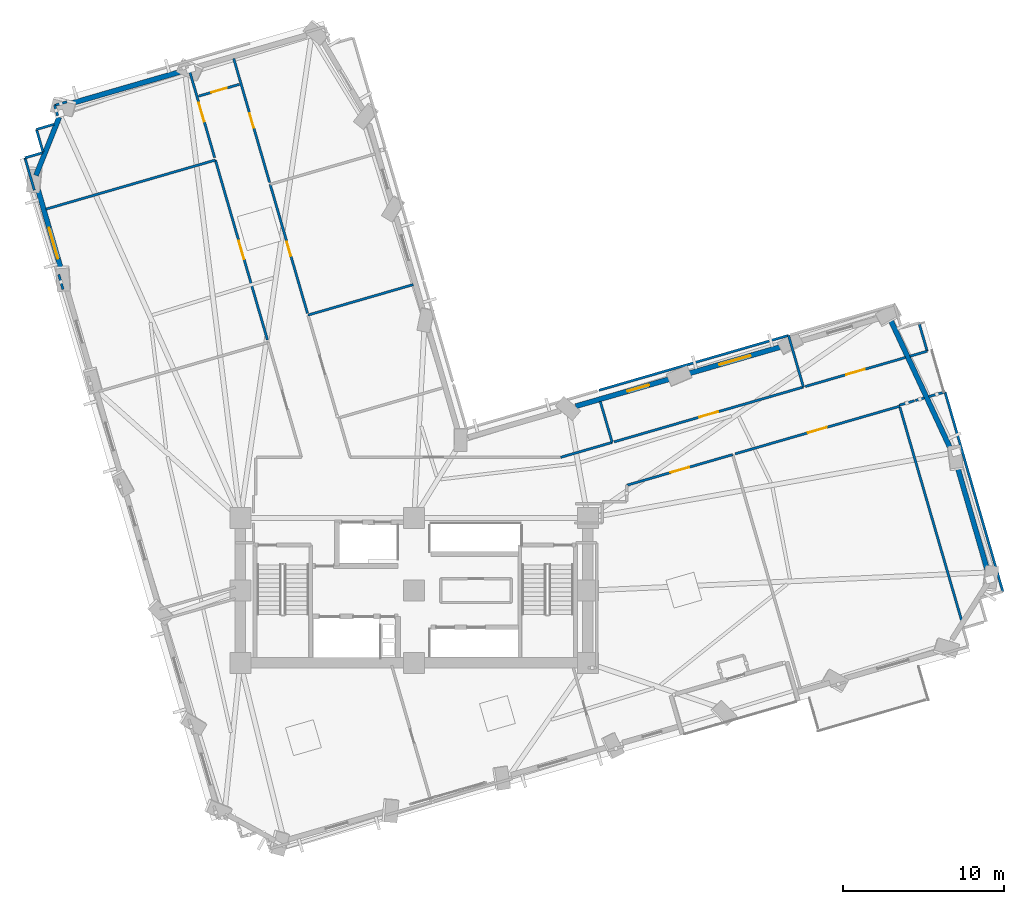
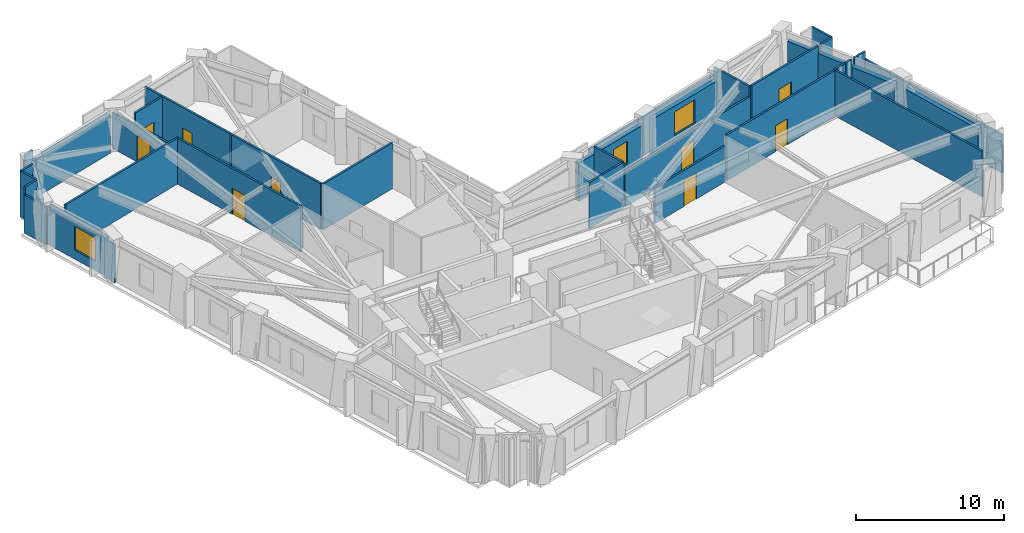
# One storey, part 10 of 15: 36 walls, 9 doors, 3 windows, 12 openings.
"""IFC4 building model written with IfcOpenShell, lengths in metres."""

from ifc_helpers import new_model, si_unit, direction, frame, frame_2d, origin, place, context, subcontext, project, spatial, rectangle, extrude, material, layer, layer_set, type_object, element, fill, save


model = new_model("IFC4")

# Units and contexts
model_context = context("Model", 3, precision=1e-05, world=origin(), true_north=direction((0.0, 1.0)))
body_context = subcontext(model_context, "Body", "Model", "MODEL_VIEW")
ifc_project = project(units=[si_unit("LENGTHUNIT", "METRE"), si_unit("AREAUNIT", "SQUARE_METRE"), si_unit("VOLUMEUNIT", "CUBIC_METRE"), si_unit("PLANEANGLEUNIT", "RADIAN"), si_unit("MASSUNIT", "GRAM", prefix="KILO")], contexts=[model_context])

# Site, building, storey
site_placement = place(None, origin())
site = spatial("IfcSite", under=ifc_project, at=site_placement, CompositionType="ELEMENT")
building_placement = place(site_placement, origin())
building = spatial("IfcBuilding", under=site, at=building_placement, Name="Gaonmaruhae Medical Tower", CompositionType="ELEMENT")
storey_placement = place(building_placement, frame((0.0, 0.0, 92.39990234375)))
storey = spatial("IfcBuildingStorey", under=building, at=storey_placement, Name="L21", CompositionType="ELEMENT", Elevation=92.39990234375)

# Walls
ifc_material_1 = material(Name="Precast concrete C45/55", Category="concrete")
ifc_layer_1 = layer(ifc_material_1, 0.320068359375)
ifc_layer_set_1 = layer_set([ifc_layer_1], Name="Precast concrete C45/55")
wall_type_1 = type_object("IfcWallType", Name="EW-320 Lower Precast Masonry-Frame Facade Wall", PredefinedType="SOLIDWALL", material=ifc_layer_set_1)
wall_1_placement = place(storey_placement, frame((58.512939453125, 20.198486328125, 0.0), z_axis=(0.0, 0.0, 1.0), x_axis=(0.278156008639, -0.960535910239, 0.0)))
element("IfcWall", 1, at=wall_1_placement, inside=storey, type_object=wall_type_1, Name="L21 Precast Masonry-Frame Wall E01-E02", PredefinedType="SOLIDWALL", context=body_context, shape_type="SweptSolid", body=[
    extrude(rectangle(XDim=6.840087890625, YDim=0.320068359375, at=frame_2d((3.419921875, 0.0))), origin(), (0.0, 0.0, 1.0), 3.1650390625),
])
wall_2_placement = place(storey_placement, frame((54.427001953125, 29.09326171875, 0.0), z_axis=(0.0, 0.0, 1.0), x_axis=(0.421696417701, -0.906737079477, 0.0)))
element("IfcWall", 2, at=wall_2_placement, inside=storey, type_object=wall_type_1, Name="L21 Precast Masonry-Frame Wall E02-E03", PredefinedType="SOLIDWALL", context=body_context, shape_type="SweptSolid", body=[
    extrude(rectangle(XDim=8.837646484375, YDim=0.320068359375, at=frame_2d((4.4189453125, 0.0))), origin(), (0.0, 0.0, 1.0), 3.1650390625),
])

# Wall, opening, window
wall_3_placement = place(storey_placement, frame((41.758544921875, 25.757080078125, 0.0), z_axis=(0.0, 0.0, 1.0), x_axis=(0.960538354847, 0.278147566711, 0.0)))
wall_3 = element("IfcWall", 3, at=wall_3_placement, inside=storey, type_object=wall_type_1, Name="L21 Precast Masonry-Frame Wall EN01-EN02", PredefinedType="SOLIDWALL", context=body_context, shape_type="SweptSolid", body=[
    extrude(rectangle(XDim=6.2265625, YDim=0.320068359375, at=frame_2d((3.11328125, 0.0))), origin(), (0.0, 0.0, 1.0), 3.1650390625),
])
opening_1_placement = place(wall_3_placement, frame((2.110595703125, 0.0, 0.75)))
opening_1 = element("IfcOpeningElement", 4, at=opening_1_placement, cuts=wall_3, Name="Opening WN-02", PredefinedType="OPENING", context=body_context, shape_type="SweptSolid", body=[
    extrude(rectangle(XDim=2.0, YDim=1.949951171875, at=frame_2d((1.0, 0.97509765625))), frame((0.0, 0.169921875, 0.0), z_axis=(0.0, -1.0, 0.0), x_axis=(1.0, 0.0, 0.0)), (0.0, 0.0, 1.0), 0.340087890625),
])
ifc_material_2 = material(Name="Anodised aluminium and Low-E double glazing", Category="aluminium")
window_type_1 = type_object("IfcWindowType", Name="WN-02 Double-Bed Ward Punched Window 2000x1950", PartitioningType="SINGLE_PANEL", PredefinedType="WINDOW", material=ifc_material_2)
window_1_placement = place(opening_1_placement, origin())
window_1 = element("IfcWindow", 5, at=window_1_placement, inside=storey, type_object=window_type_1, Name="L21 Modular Facade Window EN01", OverallHeight=1.949951171875, OverallWidth=2.0, PartitioningType="SINGLE_PANEL", PredefinedType="WINDOW", context=body_context, shape_type="SweptSolid", body=[
    extrude(rectangle(XDim=2.0, YDim=1.949951171875, at=frame_2d((1.0, 0.97509765625))), frame((0.0, 0.030029296875, 0.0), z_axis=(0.0, -1.0, 0.0), x_axis=(1.0, 0.0, 0.0)), (0.0, 0.0, 1.0), 0.06005859375),
])
fill(opening_1, window_1)

wall_4_placement = place(storey_placement, frame((34.84716796875, 23.755615234375, 0.0), z_axis=(0.0, 0.0, 1.0), x_axis=(0.96052833926, 0.278182151618, 0.0)))
wall_4 = element("IfcWall", 6, at=wall_4_placement, inside=storey, type_object=wall_type_1, Name="L21 Precast Masonry-Frame Wall EN02-EN03", PredefinedType="SOLIDWALL", context=body_context, shape_type="SweptSolid", body=[
    extrude(rectangle(XDim=6.2109375, YDim=0.320068359375, at=frame_2d((3.10546875, 0.0))), origin(), (0.0, 0.0, 1.0), 3.1650390625),
])
opening_2_placement = place(wall_4_placement, frame((3.34375, 0.0, 0.75)))
opening_2 = element("IfcOpeningElement", 7, at=opening_2_placement, cuts=wall_4, Name="Opening WN-03", PredefinedType="OPENING", context=body_context, shape_type="SweptSolid", body=[
    extrude(rectangle(XDim=1.39990234375, YDim=1.85009765625, at=frame_2d((0.699951171875, 0.925048828125))), frame((0.0, 0.169921875, 0.0), z_axis=(0.0, -1.0, 0.0), x_axis=(1.0, 0.0, 0.0)), (0.0, 0.0, 1.0), 0.340087890625),
])
window_type_2 = type_object("IfcWindowType", Name="WN-03 Isolation Ward Punched Window 1400x1850", PartitioningType="SINGLE_PANEL", PredefinedType="WINDOW", material=ifc_material_2)
window_2_placement = place(opening_2_placement, origin())
window_2 = element("IfcWindow", 8, at=window_2_placement, inside=storey, type_object=window_type_2, Name="L21 Modular Facade Window EN02", OverallHeight=1.85009765625, OverallWidth=1.39990234375, PartitioningType="SINGLE_PANEL", PredefinedType="WINDOW", context=body_context, shape_type="SweptSolid", body=[
    extrude(rectangle(XDim=1.39990234375, YDim=1.85009765625, at=frame_2d((0.699951171875, 0.925048828125))), frame((0.0, 0.030029296875, 0.0), z_axis=(0.0, -1.0, 0.0), x_axis=(1.0, 0.0, 0.0)), (0.0, 0.0, 1.0), 0.06005859375),
])
fill(opening_2, window_2)

# Walls
wall_5_placement = place(storey_placement, frame((3.269287109375, 42.512451171875, 0.0), z_axis=(0.0, 0.0, 1.0), x_axis=(0.960535698859, 0.278156738581, 0.0)))
element("IfcWall", 9, at=wall_5_placement, inside=storey, type_object=wall_type_1, Name="L21 Precast Masonry-Frame Wall N02-N03", PredefinedType="SOLIDWALL", context=body_context, shape_type="SweptSolid", body=[
    extrude(rectangle(XDim=7.27001953125, YDim=0.320068359375, at=frame_2d((3.635009765625, 0.0))), origin(), (0.0, 0.0, 1.0), 3.1650390625),
])
wall_6_placement = place(storey_placement, frame((1.3017578125, 38.104248046875, 0.0), z_axis=(0.0, 0.0, 1.0), x_axis=(0.371011883007, 0.928628118607, 0.0)))
element("IfcWall", 10, at=wall_6_placement, inside=storey, type_object=wall_type_1, Name="L21 Precast Masonry-Frame Wall N03-W01", PredefinedType="SOLIDWALL", context=body_context, shape_type="SweptSolid", body=[
    extrude(rectangle(XDim=3.8896484375, YDim=0.320068359375, at=frame_2d((1.94482421875, 0.0))), origin(), (0.0, 0.0, 1.0), 3.1650390625),
])

# Wall, opening, window
wall_7_placement = place(storey_placement, frame((2.935302734375, 32.0068359375, 0.0), z_axis=(0.0, 0.0, 1.0), x_axis=(-0.278171081154, 0.960531545349, 0.0)))
wall_7 = element("IfcWall", 11, at=wall_7_placement, inside=storey, type_object=wall_type_1, Name="L21 Precast Masonry-Frame Wall W01-W02", PredefinedType="SOLIDWALL", context=body_context, shape_type="SweptSolid", body=[
    extrude(rectangle(XDim=5.45556640625, YDim=0.320068359375, at=frame_2d((2.727783203125, 0.0))), origin(), (0.0, 0.0, 1.0), 3.1650390625),
])
opening_3_placement = place(wall_7_placement, frame((0.96044921875, 0.0, 0.75)))
opening_3 = element("IfcOpeningElement", 12, at=opening_3_placement, cuts=wall_7, Name="Opening WN-02", PredefinedType="OPENING", context=body_context, shape_type="SweptSolid", body=[
    extrude(rectangle(XDim=2.0, YDim=1.949951171875, at=frame_2d((1.0, 0.97509765625))), frame((0.0, 0.169921875, 0.0), z_axis=(0.0, -1.0, 0.0), x_axis=(1.0, 0.0, 0.0)), (0.0, 0.0, 1.0), 0.340087890625),
])
window_3_placement = place(opening_3_placement, origin())
window_3 = element("IfcWindow", 13, at=window_3_placement, inside=storey, type_object=window_type_1, Name="L21 Modular Facade Window W01", OverallHeight=1.949951171875, OverallWidth=2.0, PartitioningType="SINGLE_PANEL", PredefinedType="WINDOW", context=body_context, shape_type="SweptSolid", body=[
    extrude(rectangle(XDim=2.0, YDim=1.949951171875, at=frame_2d((1.0, 0.97509765625))), frame((0.0, 0.030029296875, 0.0), z_axis=(0.0, -1.0, 0.0), x_axis=(1.0, 0.0, 0.0)), (0.0, 0.0, 1.0), 0.06005859375),
])
fill(opening_3, window_3)

# Wall, opening, door
ifc_material_3 = material(Name="Gypsum board partition", Category="gypsum")
ifc_layer_2 = layer(ifc_material_3, 0.14990234375)
ifc_layer_set_2 = layer_set([ifc_layer_2], Name="Gypsum board partition")
wall_type_2 = type_object("IfcWallType", Name="PW-150 Rated Clinical Corridor Partition", PredefinedType="PARTITIONING", material=ifc_layer_set_2)
wall_8_placement = place(storey_placement, frame((38.030029296875, 18.846923828125, 0.0), z_axis=(0.0, 0.0, 1.0), x_axis=(0.960527884636, 0.278183721372, 0.0)))
wall_8 = element("IfcWall", 14, at=wall_8_placement, inside=storey, type_object=wall_type_2, Name="L21 Interior Partition L21-SUP03-26", PredefinedType="PARTITIONING", context=body_context, shape_type="SweptSolid", body=[
    extrude(rectangle(XDim=6.841064453125, YDim=0.14990234375, at=frame_2d((3.42041015625, 0.0))), origin(), (0.0, 0.0, 1.0), 2.965087890625),
])
opening_4_placement = place(wall_8_placement, frame((2.820556640625, 0.0, 0.0)))
opening_4 = element("IfcOpeningElement", 15, at=opening_4_placement, cuts=wall_8, Name="Opening CD-02", PredefinedType="OPENING", context=body_context, shape_type="SweptSolid", body=[
    extrude(rectangle(XDim=1.199951171875, YDim=2.14990234375, at=frame_2d((0.60009765625, 1.074951171875))), frame((0.0, 0.0849609375, 0.0), z_axis=(0.0, -1.0, 0.0), x_axis=(1.0, 0.0, 0.0)), (0.0, 0.0, 1.0), 0.169921875),
])
ifc_material_4 = material(Name="Antimicrobial laminate timber fire door", Category="wood")
door_type_1 = type_object("IfcDoorType", Name="CD-02 Clinical Treatment & Procedure Door 1200x2150", OperationType="NOTDEFINED", PredefinedType="DOOR", material=ifc_material_4)
door_1_placement = place(opening_4_placement, origin())
door_1 = element("IfcDoor", 16, at=door_1_placement, inside=storey, type_object=door_type_1, Name="L21 Clinical Biomedical Charting Office Door", OperationType="SINGLE_SWING_LEFT", OverallHeight=2.14990234375, OverallWidth=1.199951171875, PredefinedType="DOOR", context=body_context, shape_type="SweptSolid", body=[
    extrude(rectangle(XDim=1.199951171875, YDim=2.14990234375, at=frame_2d((0.60009765625, 1.074951171875))), frame((0.0, 0.02490234375, 0.0), z_axis=(0.0, -1.0, 0.0), x_axis=(1.0, 0.0, 0.0)), (0.0, 0.0, 1.0), 0.050048828125),
])
fill(opening_4, door_1)

wall_9_placement = place(storey_placement, frame((44.75390625, 20.794921875, 0.0), z_axis=(0.0, 0.0, 1.0), x_axis=(0.960551683632, 0.278101533745, 0.0)))
wall_9 = element("IfcWall", 17, at=wall_9_placement, inside=storey, type_object=wall_type_2, Name="L21 Interior Partition L21-SUP04-33", PredefinedType="PARTITIONING", context=body_context, shape_type="SweptSolid", body=[
    extrude(rectangle(XDim=10.639892578125, YDim=0.14990234375, at=frame_2d((5.31982421875, 0.0))), origin(), (0.0, 0.0, 1.0), 3.780029296875),
])
opening_5_placement = place(wall_9_placement, frame((4.719970703125, 0.0, 0.0)))
opening_5 = element("IfcOpeningElement", 18, at=opening_5_placement, cuts=wall_9, Name="Opening CD-02", PredefinedType="OPENING", context=body_context, shape_type="SweptSolid", body=[
    extrude(rectangle(XDim=1.199951171875, YDim=2.14990234375, at=frame_2d((0.60009765625, 1.074951171875))), frame((0.0, 0.0849609375, 0.0), z_axis=(0.0, -1.0, 0.0), x_axis=(1.0, 0.0, 0.0)), (0.0, 0.0, 1.0), 0.169921875),
])
door_2_placement = place(opening_5_placement, origin())
door_2 = element("IfcDoor", 19, at=door_2_placement, inside=storey, type_object=door_type_1, Name="L21 Clinical Biomedical Charting Office Door", OperationType="SINGLE_SWING_RIGHT", OverallHeight=2.14990234375, OverallWidth=1.199951171875, PredefinedType="DOOR", context=body_context, shape_type="SweptSolid", body=[
    extrude(rectangle(XDim=1.199951171875, YDim=2.14990234375, at=frame_2d((0.60009765625, 1.074951171875))), frame((0.0, 0.02490234375, 0.0), z_axis=(0.0, -1.0, 0.0), x_axis=(1.0, 0.0, 0.0)), (0.0, 0.0, 1.0), 0.050048828125),
])
fill(opening_5, door_2)

# Walls
wall_10_placement = place(storey_placement, frame((54.988037109375, 23.7060546875, 0.0), z_axis=(0.0, 0.0, 1.0), x_axis=(0.278135834911, -0.960541752002, 0.0)))
element("IfcWall", 20, at=wall_10_placement, inside=storey, type_object=wall_type_2, Name="L21 Interior Partition L21-SUP04-34", PredefinedType="PARTITIONING", context=body_context, shape_type="SweptSolid", body=[
    extrude(rectangle(XDim=13.798583984375, YDim=0.14990234375, at=frame_2d((6.8994140625, 0.0))), origin(), (0.0, 0.0, 1.0), 3.780029296875),
])
wall_11_placement = place(storey_placement, frame((1.91796875, 36.0048828125, 0.0), z_axis=(0.0, 0.0, 1.0), x_axis=(0.960532175089, 0.278168906636, 0.0)))
element("IfcWall", 21, at=wall_11_placement, inside=storey, type_object=wall_type_2, Name="L21 Interior Partition L21-WOF06-45", PredefinedType="PARTITIONING", context=body_context, shape_type="SweptSolid", body=[
    extrude(rectangle(XDim=10.96484375, YDim=0.14990234375, at=frame_2d((5.482421875, 0.0))), origin(), (0.0, 0.0, 1.0), 3.780029296875),
])

# Wall, opening, door
wall_12_placement = place(storey_placement, frame((12.449951171875, 39.054931640625, 0.0), z_axis=(0.0, 0.0, 1.0), x_axis=(0.278173677599, -0.960530793411, 0.0)))
wall_12 = element("IfcWall", 22, at=wall_12_placement, inside=storey, type_object=wall_type_2, Name="L21 Interior Partition L21-WOF06-46", PredefinedType="PARTITIONING", context=body_context, shape_type="SweptSolid", body=[
    extrude(rectangle(XDim=11.640380859375, YDim=0.14990234375, at=frame_2d((5.8203125, 0.0))), origin(), (0.0, 0.0, 1.0), 3.780029296875),
])
opening_6_placement = place(wall_12_placement, frame((5.22021484375, 0.0, 0.0)))
opening_6 = element("IfcOpeningElement", 23, at=opening_6_placement, cuts=wall_12, Name="Opening CD-02", PredefinedType="OPENING", context=body_context, shape_type="SweptSolid", body=[
    extrude(rectangle(XDim=1.199951171875, YDim=2.14990234375, at=frame_2d((0.60009765625, 1.074951171875))), frame((0.0, 0.0849609375, 0.0), z_axis=(0.0, -1.0, 0.0), x_axis=(1.0, 0.0, 0.0)), (0.0, 0.0, 1.0), 0.169921875),
])
door_3_placement = place(opening_6_placement, origin())
door_3 = element("IfcDoor", 24, at=door_3_placement, inside=storey, type_object=door_type_1, Name="L21 Ward Physician Reporting Office Door", OperationType="SINGLE_SWING_RIGHT", OverallHeight=2.14990234375, OverallWidth=1.199951171875, PredefinedType="DOOR", context=body_context, shape_type="SweptSolid", body=[
    extrude(rectangle(XDim=1.199951171875, YDim=2.14990234375, at=frame_2d((0.60009765625, 1.074951171875))), frame((0.0, 0.02490234375, 0.0), z_axis=(0.0, -1.0, 0.0), x_axis=(1.0, 0.0, 0.0)), (0.0, 0.0, 1.0), 0.050048828125),
])
fill(opening_6, door_3)

# Walls
wall_13_placement = place(storey_placement, frame((2.98095703125, 31.02001953125, 0.0), z_axis=(0.0, 0.0, 1.0), x_axis=(-0.277706408533, 0.960665993288, 0.0)))
element("IfcWall", 25, at=wall_13_placement, inside=storey, type_object=wall_type_2, Name="L21 Interior Partition L21-WOF06-48", PredefinedType="PARTITIONING", context=body_context, shape_type="SweptSolid", body=[
    extrude(rectangle(XDim=0.9609375, YDim=0.14990234375, at=frame_2d((0.48046875, 0.0))), origin(), (0.0, 0.0, 1.0), 3.1650390625),
])
wall_14_placement = place(storey_placement, frame((1.3310546875, 40.9619140625, 0.0), z_axis=(0.0, 0.0, 1.0), x_axis=(0.960686230917, 0.277636391216, 0.0)))
element("IfcWall", 26, at=wall_14_placement, inside=storey, type_object=wall_type_2, Name="L21 Interior Partition L21-WOF07-49", PredefinedType="PARTITIONING", context=body_context, shape_type="SweptSolid", body=[
    extrude(rectangle(XDim=1.138671875, YDim=0.14990234375, at=frame_2d((0.5693359375, 0.0))), origin(), (0.0, 0.0, 1.0), 3.780029296875),
])
wall_15_placement = place(storey_placement, frame((2.64697265625, 41.80908203125, 0.0), z_axis=(0.0, 0.0, 1.0), x_axis=(-0.278075705732, 0.960559161052, 0.0)))
element("IfcWall", 27, at=wall_15_placement, inside=storey, type_object=wall_type_2, Name="L21 Interior Partition L21-WOF07-50", PredefinedType="PARTITIONING", context=body_context, shape_type="SweptSolid", body=[
    extrude(rectangle(XDim=0.672607421875, YDim=0.14990234375, at=frame_2d((0.33642578125, 0.0))), origin(), (0.0, 0.0, 1.0), 2.965087890625),
])
wall_16_placement = place(storey_placement, frame((2.4599609375, 42.455078125, 0.0), z_axis=(0.0, 0.0, 1.0), x_axis=(0.960436547208, 0.278498902667, 0.0)))
element("IfcWall", 28, at=wall_16_placement, inside=storey, type_object=wall_type_2, Name="L21 Interior Partition L21-WOF07-51", PredefinedType="PARTITIONING", context=body_context, shape_type="SweptSolid", body=[
    extrude(rectangle(XDim=0.79345703125, YDim=0.14990234375, at=frame_2d((0.396728515625, 0.0))), origin(), (0.0, 0.0, 1.0), 3.780029296875),
])

# Wall, opening, door
wall_17_placement = place(storey_placement, frame((10.76904296875, 44.861083984375, 0.0), z_axis=(0.0, 0.0, 1.0), x_axis=(0.278143692162, -0.96053947681, 0.0)))
wall_17 = element("IfcWall", 29, at=wall_17_placement, inside=storey, type_object=wall_type_2, Name="L21 Interior Partition L21-WOF07-53", PredefinedType="PARTITIONING", context=body_context, shape_type="SweptSolid", body=[
    extrude(rectangle(XDim=5.88525390625, YDim=0.14990234375, at=frame_2d((2.942626953125, 0.0))), origin(), (0.0, 0.0, 1.0), 2.965087890625),
])
opening_7_placement = place(wall_17_placement, frame((2.342529296875, 0.0, 0.0)))
opening_7 = element("IfcOpeningElement", 30, at=opening_7_placement, cuts=wall_17, Name="Opening CD-02", PredefinedType="OPENING", context=body_context, shape_type="SweptSolid", body=[
    extrude(rectangle(XDim=1.199951171875, YDim=2.14990234375, at=frame_2d((0.60009765625, 1.074951171875))), frame((0.0, 0.0849609375, 0.0), z_axis=(0.0, -1.0, 0.0), x_axis=(1.0, 0.0, 0.0)), (0.0, 0.0, 1.0), 0.169921875),
])
door_4_placement = place(opening_7_placement, origin())
door_4 = element("IfcDoor", 31, at=door_4_placement, inside=storey, type_object=door_type_1, Name="L21 Ward Physician Reporting Office Door", OperationType="SINGLE_SWING_RIGHT", OverallHeight=2.14990234375, OverallWidth=1.199951171875, PredefinedType="DOOR", context=body_context, shape_type="SweptSolid", body=[
    extrude(rectangle(XDim=1.199951171875, YDim=2.14990234375, at=frame_2d((0.60009765625, 1.074951171875))), frame((0.0, 0.02490234375, 0.0), z_axis=(0.0, -1.0, 0.0), x_axis=(1.0, 0.0, 0.0)), (0.0, 0.0, 1.0), 0.050048828125),
])
fill(opening_7, door_4)

# Walls
wall_18_placement = place(storey_placement, frame((1.197021484375, 37.18310546875, 0.0), z_axis=(0.0, 0.0, 1.0), x_axis=(-0.278140228785, 0.960540479694, 0.0)))
element("IfcWall", 32, at=wall_18_placement, inside=storey, type_object=wall_type_2, Name="L21 Interior Partition L21-WOF07-54", PredefinedType="PARTITIONING", context=body_context, shape_type="SweptSolid", body=[
    extrude(rectangle(XDim=2.092529296875, YDim=0.14990234375, at=frame_2d((1.04638671875, 0.0))), origin(), (0.0, 0.0, 1.0), 3.1650390625),
])
wall_19_placement = place(storey_placement, frame((0.614990234375, 39.193115234375, 0.0), z_axis=(0.0, 0.0, 1.0), x_axis=(0.960507511892, 0.278254055855, 0.0)))
element("IfcWall", 33, at=wall_19_placement, inside=storey, type_object=wall_type_2, Name="L21 Interior Partition L21-WOF07-55", PredefinedType="PARTITIONING", context=body_context, shape_type="SweptSolid", body=[
    extrude(rectangle(XDim=1.1494140625, YDim=0.14990234375, at=frame_2d((0.57470703125, 0.0))), origin(), (0.0, 0.0, 1.0), 3.780029296875),
])
wall_20_placement = place(storey_placement, frame((1.737060546875, 39.55810546875, 0.0), z_axis=(0.0, 0.0, 1.0), x_axis=(-0.277830901588, 0.960629996472, 0.0)))
element("IfcWall", 34, at=wall_20_placement, inside=storey, type_object=wall_type_2, Name="L21 Interior Partition L21-WOF07-56", PredefinedType="PARTITIONING", context=body_context, shape_type="SweptSolid", body=[
    extrude(rectangle(XDim=1.46142578125, YDim=0.14990234375, at=frame_2d((0.730712890625, 0.0))), origin(), (0.0, 0.0, 1.0), 3.780029296875),
])
wall_21_placement = place(storey_placement, frame((36.373046875, 24.056884765625, 0.0), z_axis=(0.0, 0.0, 1.0), x_axis=(0.278035744254, -0.960570728743, 0.0)))
element("IfcWall", 35, at=wall_21_placement, inside=storey, type_object=wall_type_2, Name="L21 Interior Partition L21-IE01-57", PredefinedType="PARTITIONING", context=body_context, shape_type="SweptSolid", body=[
    extrude(rectangle(XDim=2.654541015625, YDim=0.14990234375, at=frame_2d((1.3271484375, 0.0))), origin(), (0.0, 0.0, 1.0), 3.780029296875),
])
wall_22_placement = place(storey_placement, frame((37.111083984375, 21.507080078125, 0.0), z_axis=(0.0, 0.0, 1.0), x_axis=(-0.96051377414, -0.278232438237, 0.0)))
element("IfcWall", 36, at=wall_22_placement, inside=storey, type_object=wall_type_2, Name="L21 Interior Partition L21-IE01-58", PredefinedType="PARTITIONING", context=body_context, shape_type="SweptSolid", body=[
    extrude(rectangle(XDim=3.331787109375, YDim=0.14990234375, at=frame_2d((1.666015625, 0.0))), origin(), (0.0, 0.0, 1.0), 3.780029296875),
])

# Wall, opening, door
wall_23_placement = place(storey_placement, frame((48.998046875, 24.948974609375, 0.0), z_axis=(0.0, 0.0, 1.0), x_axis=(-0.960536816253, -0.278152879948, 0.0)))
wall_23 = element("IfcWall", 37, at=wall_23_placement, inside=storey, type_object=wall_type_2, Name="L21 Interior Partition L21-IE02-64", PredefinedType="PARTITIONING", context=body_context, shape_type="SweptSolid", body=[
    extrude(rectangle(XDim=12.255615234375, YDim=0.14990234375, at=frame_2d((6.1279296875, 0.0))), origin(), (0.0, 0.0, 1.0), 2.965087890625),
])
opening_8_placement = place(wall_23_placement, frame((5.52783203125, 0.0, 0.0)))
opening_8 = element("IfcOpeningElement", 38, at=opening_8_placement, cuts=wall_23, Name="Opening CD-02", PredefinedType="OPENING", context=body_context, shape_type="SweptSolid", body=[
    extrude(rectangle(XDim=1.199951171875, YDim=2.14990234375, at=frame_2d((0.60009765625, 1.074951171875))), frame((0.0, 0.0849609375, 0.0), z_axis=(0.0, -1.0, 0.0), x_axis=(1.0, 0.0, 0.0)), (0.0, 0.0, 1.0), 0.169921875),
])
door_5_placement = place(opening_8_placement, origin())
door_5 = element("IfcDoor", 39, at=door_5_placement, inside=storey, type_object=door_type_1, Name="L21 Acute Treatment Examination Room Door", OperationType="SINGLE_SWING_RIGHT", OverallHeight=2.14990234375, OverallWidth=1.199951171875, PredefinedType="DOOR", context=body_context, shape_type="SweptSolid", body=[
    extrude(rectangle(XDim=1.199951171875, YDim=2.14990234375, at=frame_2d((0.60009765625, 1.074951171875))), frame((0.0, 0.02490234375, 0.0), z_axis=(0.0, -1.0, 0.0), x_axis=(1.0, 0.0, 0.0)), (0.0, 0.0, 1.0), 0.050048828125),
])
fill(opening_8, door_5)

# Walls
wall_24_placement = place(storey_placement, frame((36.297119140625, 24.748046875, 0.0), z_axis=(0.0, 0.0, 1.0), x_axis=(0.960536816253, 0.278152879948, 0.0)))
element("IfcWall", 40, at=wall_24_placement, inside=storey, type_object=wall_type_2, Name="L21 Interior Partition L21-IE02-65", PredefinedType="PARTITIONING", context=body_context, shape_type="SweptSolid", body=[
    extrude(rectangle(XDim=12.255615234375, YDim=0.14990234375, at=frame_2d((6.1279296875, 0.0))), origin(), (0.0, 0.0, 1.0), 3.1650390625),
])
wall_25_placement = place(storey_placement, frame((48.069091796875, 28.156982421875, 0.0), z_axis=(0.0, 0.0, 1.0), x_axis=(0.27814682338, -0.960538570097, 0.0)))
element("IfcWall", 41, at=wall_25_placement, inside=storey, type_object=wall_type_2, Name="L21 Interior Partition L21-IE02-66", PredefinedType="PARTITIONING", context=body_context, shape_type="SweptSolid", body=[
    extrude(rectangle(XDim=3.33984375, YDim=0.14990234375, at=frame_2d((1.669921875, 0.0))), origin(), (0.0, 0.0, 1.0), 3.780029296875),
])
wall_26_placement = place(storey_placement, frame((56.68994140625, 27.176025390625, 0.0), z_axis=(0.0, 0.0, 1.0), x_axis=(-0.960498425311, -0.278285419984, 0.0)))
element("IfcWall", 42, at=wall_26_placement, inside=storey, type_object=wall_type_2, Name="L21 Interior Partition L21-IE03-67", PredefinedType="PARTITIONING", context=body_context, shape_type="SweptSolid", body=[
    extrude(rectangle(XDim=1.12109375, YDim=0.14990234375, at=frame_2d((0.560546875, 0.0))), origin(), (0.0, 0.0, 1.0), 3.780029296875),
])

# Wall, opening, door
wall_27_placement = place(storey_placement, frame((55.35009765625, 26.7880859375, 0.0), z_axis=(0.0, 0.0, 1.0), x_axis=(-0.960535982283, -0.278155759852, 0.0)))
wall_27 = element("IfcWall", 43, at=wall_27_placement, inside=storey, type_object=wall_type_2, Name="L21 Interior Partition L21-IE03-68", PredefinedType="PARTITIONING", context=body_context, shape_type="SweptSolid", body=[
    extrude(rectangle(XDim=6.493408203125, YDim=0.14990234375, at=frame_2d((3.24658203125, 0.0))), origin(), (0.0, 0.0, 1.0), 3.780029296875),
])
opening_9_placement = place(wall_27_placement, frame((2.646484375, 0.0, 0.0)))
opening_9 = element("IfcOpeningElement", 44, at=opening_9_placement, cuts=wall_27, Name="Opening CD-02", PredefinedType="OPENING", context=body_context, shape_type="SweptSolid", body=[
    extrude(rectangle(XDim=1.199951171875, YDim=2.14990234375, at=frame_2d((0.60009765625, 1.074951171875))), frame((0.0, 0.0849609375, 0.0), z_axis=(0.0, -1.0, 0.0), x_axis=(1.0, 0.0, 0.0)), (0.0, 0.0, 1.0), 0.169921875),
])
door_6_placement = place(opening_9_placement, origin())
door_6 = element("IfcDoor", 45, at=door_6_placement, inside=storey, type_object=door_type_1, Name="L21 Clean Medication Preparation Room Door", OperationType="SINGLE_SWING_RIGHT", OverallHeight=2.14990234375, OverallWidth=1.199951171875, PredefinedType="DOOR", context=body_context, shape_type="SweptSolid", body=[
    extrude(rectangle(XDim=1.199951171875, YDim=2.14990234375, at=frame_2d((0.60009765625, 1.074951171875))), frame((0.0, 0.02490234375, 0.0), z_axis=(0.0, -1.0, 0.0), x_axis=(1.0, 0.0, 0.0)), (0.0, 0.0, 1.0), 0.050048828125),
])
fill(opening_9, door_6)

# Walls
wall_28_placement = place(storey_placement, frame((56.177978515625, 28.944091796875, 0.0), z_axis=(0.0, 0.0, 1.0), x_axis=(0.278135368306, -0.960541887112, 0.0)))
element("IfcWall", 46, at=wall_28_placement, inside=storey, type_object=wall_type_2, Name="L21 Interior Partition L21-IE03-72", PredefinedType="PARTITIONING", context=body_context, shape_type="SweptSolid", body=[
    extrude(rectangle(XDim=1.840576171875, YDim=0.14990234375, at=frame_2d((0.92041015625, 0.0))), origin(), (0.0, 0.0, 1.0), 3.780029296875),
])
wall_29_placement = place(storey_placement, frame((18.20703125, 29.4208984375, 0.0), z_axis=(0.0, 0.0, 1.0), x_axis=(0.960519935436, 0.278211167335, 0.0)))
element("IfcWall", 47, at=wall_29_placement, inside=storey, type_object=wall_type_2, Name="L21 Interior Partition L21-IN01-74", PredefinedType="PARTITIONING", context=body_context, shape_type="SweptSolid", body=[
    extrude(rectangle(XDim=6.81494140625, YDim=0.14990234375, at=frame_2d((3.407470703125, 0.0))), origin(), (0.0, 0.0, 1.0), 3.780029296875),
])

# Wall, opening, door
wall_30_placement = place(storey_placement, frame((18.174072265625, 29.535888671875, 0.0), z_axis=(0.0, 0.0, 1.0), x_axis=(-0.278171795837, 0.960531338375, 0.0)))
wall_30 = element("IfcWall", 48, at=wall_30_placement, inside=storey, type_object=wall_type_2, Name="L21 Interior Partition L21-IN02-76", PredefinedType="PARTITIONING", context=body_context, shape_type="SweptSolid", body=[
    extrude(rectangle(XDim=8.34033203125, YDim=0.14990234375, at=frame_2d((4.170166015625, 0.0))), origin(), (0.0, 0.0, 1.0), 3.780029296875),
])
opening_10_placement = place(wall_30_placement, frame((3.710205078125, 0.0, 0.0)))
opening_10 = element("IfcOpeningElement", 49, at=opening_10_placement, cuts=wall_30, Name="Opening UD-01", PredefinedType="OPENING", context=body_context, shape_type="SweptSolid", body=[
    extrude(rectangle(XDim=0.919921875, YDim=2.10009765625, at=frame_2d((0.4599609375, 1.050048828125))), frame((0.0, 0.0849609375, 0.0), z_axis=(0.0, -1.0, 0.0), x_axis=(1.0, 0.0, 0.0)), (0.0, 0.0, 1.0), 0.169921875),
])
ifc_material_5 = material(Name="Powder-coated steel utility door", Category="steel")
door_type_2 = type_object("IfcDoorType", Name="UD-01 Toilet, Utility & Housekeeping Door 920x2100", OperationType="NOTDEFINED", PredefinedType="DOOR", material=ifc_material_5)
door_7_placement = place(opening_10_placement, origin())
door_7 = element("IfcDoor", 50, at=door_7_placement, inside=storey, type_object=door_type_2, Name="L21 Ward Nutrition Pantry Door", OperationType="SINGLE_SWING_RIGHT", OverallHeight=2.10009765625, OverallWidth=0.919921875, PredefinedType="DOOR", context=body_context, shape_type="SweptSolid", body=[
    extrude(rectangle(XDim=0.919921875, YDim=2.10009765625, at=frame_2d((0.4599609375, 1.050048828125))), frame((0.0, 0.02490234375, 0.0), z_axis=(0.0, -1.0, 0.0), x_axis=(1.0, 0.0, 0.0)), (0.0, 0.0, 1.0), 0.050048828125),
])
fill(opening_10, door_7)

wall_31_placement = place(storey_placement, frame((15.821044921875, 37.662109375, 0.0), z_axis=(0.0, 0.0, 1.0), x_axis=(-0.278211165239, 0.960519936043, 0.0)))
wall_31 = element("IfcWall", 51, at=wall_31_placement, inside=storey, type_object=wall_type_2, Name="L21 Interior Partition L21-IN03-81", PredefinedType="PARTITIONING", context=body_context, shape_type="SweptSolid", body=[
    extrude(rectangle(XDim=8.015380859375, YDim=0.14990234375, at=frame_2d((4.0078125, 0.0))), origin(), (0.0, 0.0, 1.0), 3.780029296875),
])
opening_11_placement = place(wall_31_placement, frame((3.547607421875, 0.0, 0.0)))
opening_11 = element("IfcOpeningElement", 52, at=opening_11_placement, cuts=wall_31, Name="Opening UD-01", PredefinedType="OPENING", context=body_context, shape_type="SweptSolid", body=[
    extrude(rectangle(XDim=0.919921875, YDim=2.10009765625, at=frame_2d((0.4599609375, 1.050048828125))), frame((0.0, 0.0849609375, 0.0), z_axis=(0.0, -1.0, 0.0), x_axis=(1.0, 0.0, 0.0)), (0.0, 0.0, 1.0), 0.169921875),
])
door_8_placement = place(opening_11_placement, origin())
door_8 = element("IfcDoor", 53, at=door_8_placement, inside=storey, type_object=door_type_2, Name="L21 Public Visitor Toilet Door", OperationType="SINGLE_SWING_RIGHT", OverallHeight=2.10009765625, OverallWidth=0.919921875, PredefinedType="DOOR", context=body_context, shape_type="SweptSolid", body=[
    extrude(rectangle(XDim=0.919921875, YDim=2.10009765625, at=frame_2d((0.4599609375, 1.050048828125))), frame((0.0, 0.02490234375, 0.0), z_axis=(0.0, -1.0, 0.0), x_axis=(1.0, 0.0, 0.0)), (0.0, 0.0, 1.0), 0.050048828125),
])
fill(opening_11, door_8)

wall_32_placement = place(storey_placement, frame((13.949951171875, 43.762939453125, 0.0), z_axis=(0.0, 0.0, 1.0), x_axis=(-0.960526690824, -0.2781878434, 0.0)))
wall_32 = element("IfcWall", 54, at=wall_32_placement, inside=storey, type_object=wall_type_2, Name="L21 Interior Partition L21-RM01-85", PredefinedType="PARTITIONING", context=body_context, shape_type="SweptSolid", body=[
    extrude(rectangle(XDim=2.6494140625, YDim=0.14990234375, at=frame_2d((1.32470703125, 0.0))), origin(), (0.0, 0.0, 1.0), 3.780029296875),
])
opening_12_placement = place(wall_32_placement, frame((0.82470703125, 0.0, 0.0)))
opening_12 = element("IfcOpeningElement", 55, at=opening_12_placement, cuts=wall_32, Name="Opening CD-01", PredefinedType="OPENING", context=body_context, shape_type="SweptSolid", body=[
    extrude(rectangle(XDim=1.0, YDim=2.1201171875, at=frame_2d((0.5, 1.06005859375))), frame((0.0, 0.0849609375, 0.0), z_axis=(0.0, -1.0, 0.0), x_axis=(1.0, 0.0, 0.0)), (0.0, 0.0, 1.0), 0.169921875),
])
door_type_3 = type_object("IfcDoorType", Name="CD-01 Consultation & Physician Office Door 1000x2120", OperationType="NOTDEFINED", PredefinedType="DOOR", material=ifc_material_4)
door_9_placement = place(opening_12_placement, origin())
door_9 = element("IfcDoor", 56, at=door_9_placement, inside=storey, type_object=door_type_3, Name="L21 Clinical Case Review Office Door", OperationType="SINGLE_SWING_LEFT", OverallHeight=2.1201171875, OverallWidth=1.0, PredefinedType="DOOR", context=body_context, shape_type="SweptSolid", body=[
    extrude(rectangle(XDim=1.0, YDim=2.1201171875, at=frame_2d((0.5, 1.06005859375))), frame((0.0, 0.02490234375, 0.0), z_axis=(0.0, -1.0, 0.0), x_axis=(1.0, 0.0, 0.0)), (0.0, 0.0, 1.0), 0.050048828125),
])
fill(opening_12, door_9)

# Walls
wall_33_placement = place(storey_placement, frame((54.9541015625, 23.821044921875, 0.0), z_axis=(0.0, 0.0, 1.0), x_axis=(0.960483730081, 0.278336135363, 0.0)))
element("IfcWall", 57, at=wall_33_placement, inside=storey, type_object=wall_type_2, Name="L21 Interior Partition L21-RM02-87", PredefinedType="PARTITIONING", context=body_context, shape_type="SweptSolid", body=[
    extrude(rectangle(XDim=0.980712890625, YDim=0.14990234375, at=frame_2d((0.490234375, 0.0))), origin(), (0.0, 0.0, 1.0), 3.780029296875),
])
wall_34_placement = place(storey_placement, frame((55.9541015625, 24.111083984375, 0.0), z_axis=(0.0, 0.0, 1.0), x_axis=(0.960435800201, 0.278501478796, 0.0)))
element("IfcWall", 58, at=wall_34_placement, inside=storey, type_object=wall_type_2, Name="L21 Interior Partition L21-RM03-92", PredefinedType="PARTITIONING", context=body_context, shape_type="SweptSolid", body=[
    extrude(rectangle(XDim=0.588134765625, YDim=0.14990234375, at=frame_2d((0.2939453125, 0.0))), origin(), (0.0, 0.0, 1.0), 3.780029296875),
])
wall_35_placement = place(storey_placement, frame((56.781982421875, 24.35107421875, 0.0), z_axis=(0.0, 0.0, 1.0), x_axis=(0.960612917975, 0.277889945517, 0.0)))
element("IfcWall", 59, at=wall_35_placement, inside=storey, type_object=wall_type_2, Name="L21 Interior Partition L21-RM03-93", PredefinedType="PARTITIONING", context=body_context, shape_type="SweptSolid", body=[
    extrude(rectangle(XDim=1.057861328125, YDim=0.14990234375, at=frame_2d((0.52880859375, 0.0))), origin(), (0.0, 0.0, 1.0), 3.780029296875),
])
wall_36_placement = place(storey_placement, frame((57.798095703125, 24.64501953125, 0.0), z_axis=(0.0, 0.0, 1.0), x_axis=(0.278175993697, -0.960530122657, 0.0)))
element("IfcWall", 60, at=wall_36_placement, inside=storey, type_object=wall_type_2, Name="L21 Interior Partition L21-RM03-94", PredefinedType="PARTITIONING", context=body_context, shape_type="SweptSolid", body=[
    extrude(rectangle(XDim=12.919921875, YDim=0.14990234375, at=frame_2d((6.4599609375, 0.0))), origin(), (0.0, 0.0, 1.0), 3.1650390625),
])

save(model, "model.ifc")
